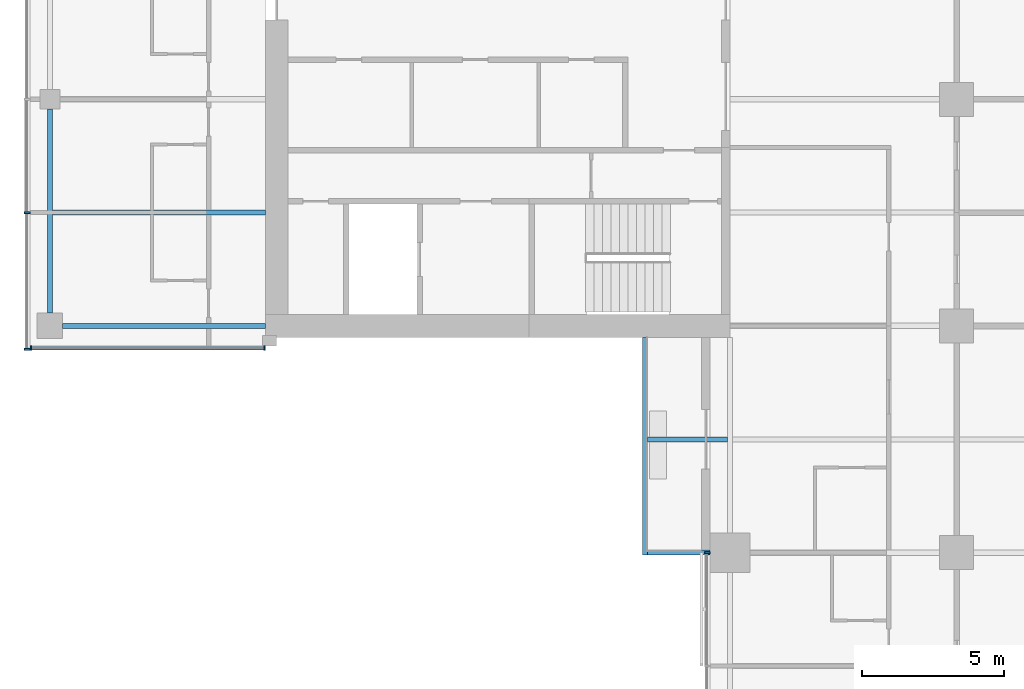
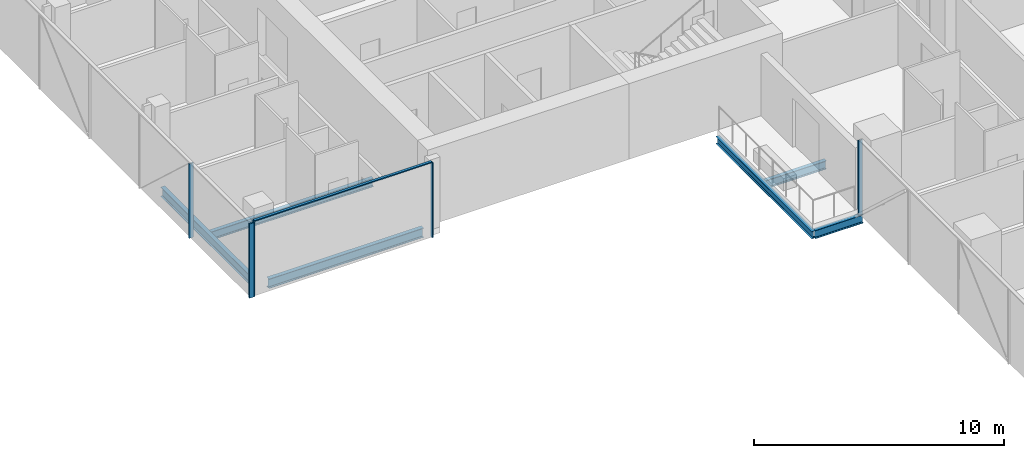
# One storey, part 3 of 27: 6 beams, 6 members, 3 elements without a shape of their own.
"""IFC4 building model written with IfcOpenShell, lengths in metres."""

from ifc_helpers import new_model, si_unit, direction, frame, origin, origin_2d, place, context, subcontext, project, spatial, rectangle, i_section, extrude, material, material_profile, profile_set, type_object, element, aggregate, save


model = new_model("IFC4")

# Units and contexts
model_context = context("Model", 3, precision=1e-05, world=origin(), true_north=direction((0.0, 1.0)))
body_context = subcontext(model_context, "Body", "Model", "MODEL_VIEW")
ifc_project = project(units=[si_unit("LENGTHUNIT", "METRE"), si_unit("AREAUNIT", "SQUARE_METRE"), si_unit("VOLUMEUNIT", "CUBIC_METRE"), si_unit("PLANEANGLEUNIT", "RADIAN"), si_unit("MASSUNIT", "GRAM", prefix="KILO")], contexts=[model_context])

# Site, building, storey
site_placement = place(None, origin())
site = spatial("IfcSite", under=ifc_project, at=site_placement, CompositionType="ELEMENT")
building_placement = place(site_placement, origin())
building = spatial("IfcBuilding", under=site, at=building_placement, Name="Crosswind Convention Tower", CompositionType="ELEMENT")
storey_placement = place(building_placement, frame((0.0, 0.0, 64.60009765625)))
storey = spatial("IfcBuildingStorey", under=building, at=storey_placement, Name="L10", CompositionType="ELEMENT", Elevation=64.60009765625)

# Beams
ifc_material_1 = material(Name="Steel S355", Category="steel")
ifc_material_profile_1 = material_profile(ifc_material_1, i_section(OverallWidth=0.177734375, OverallDepth=0.406494140625, WebThickness=0.0078125, FlangeThickness=0.0126953125, FilletRadius=0.01025390625, at=origin_2d()), Name="UB 406x178x60")
ifc_profile_set_1 = profile_set([ifc_material_profile_1], Name="Steel S355")
beam_type_1 = type_object("IfcBeamType", Name="Balcony cantilever UB 406x178x60", PredefinedType="BEAM", material=ifc_profile_set_1)
beam_1_placement = place(storey_placement, frame((112.90478515625, 84.0, -0.4833984375), z_axis=(-1.0, 0.0, 0.0), x_axis=(0.0, -1.0, 0.0)))
element("IfcBeam", 1, at=beam_1_placement, inside=storey, type_object=beam_type_1, Name="B35 L10 balcony cantilever SW 7", PredefinedType="BEAM", context=body_context, shape_type="SweptSolid", body=[
    extrude(i_section(OverallWidth=0.177734375, OverallDepth=0.406494140625, WebThickness=0.0078125, FlangeThickness=0.0126953125, FilletRadius=0.01025390625, at=origin_2d()), origin(), (0.0, 0.0, 1.0), 2.8193359375),
])
beam_2_placement = place(storey_placement, frame((112.300048828125, 80.0, -0.4833984375), z_axis=(-1.0, 0.0, 0.0), x_axis=(0.0, -1.0, 0.0)))
element("IfcBeam", 2, at=beam_2_placement, inside=storey, type_object=beam_type_1, Name="B35 L10 balcony cantilever SW 8", PredefinedType="BEAM", context=body_context, shape_type="SweptSolid", body=[
    extrude(i_section(OverallWidth=0.177734375, OverallDepth=0.406494140625, WebThickness=0.0078125, FlangeThickness=0.0126953125, FilletRadius=0.01025390625, at=origin_2d()), origin(), (0.0, 0.0, 1.0), 2.214599609375),
])
ifc_material_profile_2 = material_profile(ifc_material_1, i_section(OverallWidth=0.1708984375, OverallDepth=0.35205078125, WebThickness=0.0068359375, FlangeThickness=0.009765625, FilletRadius=0.01025390625, at=origin_2d()), Name="UB 356x171x45")
ifc_profile_set_2 = profile_set([ifc_material_profile_2], Name="Steel S355")
beam_type_2 = type_object("IfcBeamType", Name="Balcony edge beam UB 356x171x45", PredefinedType="BEAM", material=ifc_profile_set_2)
beam_3_placement = place(storey_placement, frame((110.0, 87.60009765625, -0.4560546875), z_axis=(0.0, -1.0, 0.0), x_axis=(1.0, 0.0, 0.0)))
element("IfcBeam", 3, at=beam_3_placement, inside=storey, type_object=beam_type_2, Name="B37 L10 balcony edge beam SW 9", PredefinedType="BEAM", context=body_context, shape_type="SweptSolid", body=[
    extrude(i_section(OverallWidth=0.1708984375, OverallDepth=0.35205078125, WebThickness=0.0068359375, FlangeThickness=0.009765625, FilletRadius=0.01025390625, at=origin_2d()), origin(), (0.0, 0.0, 1.0), 7.68896484375),
])
ifc_material_profile_3 = material_profile(ifc_material_1, i_section(OverallWidth=0.1904296875, OverallDepth=0.457275390625, WebThickness=0.009033203125, FlangeThickness=0.014404296875, FilletRadius=0.01025390625, at=origin_2d()), Name="UB 457x191x75")
ifc_profile_set_3 = profile_set([ifc_material_profile_3], Name="Steel S355")
beam_type_3 = type_object("IfcBeamType", Name="Edge beam UB 457x191x75", PredefinedType="SPANDREL", material=ifc_profile_set_3)
beam_4_placement = place(storey_placement, frame((89.0, 88.449951171875, -0.5087890625), z_axis=(0.0, 1.0, 0.0), x_axis=(-1.0, 0.0, 0.0)))
element("IfcBeam", 4, at=beam_4_placement, inside=storey, type_object=beam_type_3, Name="B17 L10 edge beam 1", PredefinedType="SPANDREL", context=body_context, shape_type="SweptSolid", body=[
    extrude(i_section(OverallWidth=0.1904296875, OverallDepth=0.457275390625, WebThickness=0.009033203125, FlangeThickness=0.014404296875, FilletRadius=0.01025390625, at=origin_2d()), origin(), (0.0, 0.0, 1.0), 7.199951171875),
])
beam_5_placement = place(storey_placement, frame((89.449951171875, 88.0, -0.5087890625), z_axis=(1.0, 0.0, 0.0), x_axis=(0.0, 1.0, 0.0)))
element("IfcBeam", 5, at=beam_5_placement, inside=storey, type_object=beam_type_3, Name="B17 L10 edge beam 4", PredefinedType="SPANDREL", context=body_context, shape_type="SweptSolid", body=[
    extrude(i_section(OverallWidth=0.1904296875, OverallDepth=0.457275390625, WebThickness=0.009033203125, FlangeThickness=0.014404296875, FilletRadius=0.01025390625, at=origin_2d()), origin(), (0.0, 0.0, 1.0), 7.150146484375),
])

# Curtain wall, members
ifc_material_2 = material(Name="Aluminium unitised curtain wall", Category="aluminium")
curtain_wall_type_1 = type_object("IfcCurtainWallType", Name="CORE END SLOT WALL 160", PredefinedType="USERDEFINED", material=ifc_material_2)
curtain_wall_1_placement = place(storey_placement, origin())
curtain_wall_1 = element("IfcCurtainWall", 6, at=curtain_wall_1_placement, inside=storey, type_object=curtain_wall_type_1, Name="CW6 L10 W-S.1-1 slot", ObjectType="UNITISED", PredefinedType="USERDEFINED")
ifc_material_3 = material(Name="Aluminium mullion", Category="aluminium")
ifc_material_profile_4 = material_profile(ifc_material_3, rectangle(XDim=0.159912109375, YDim=0.050048828125, at=origin_2d()), Name="AL 160X50")
ifc_profile_set_4 = profile_set([ifc_material_profile_4], Name="Aluminium mullion")
member_type_1 = type_object("IfcMemberType", Name="MULLION 50X160", PredefinedType="MULLION", material=ifc_profile_set_4)
member_1_placement = place(storey_placement, frame((88.324951171875, 87.219970703125, -0.280029296875), z_axis=(0.0, 0.0, 1.0), x_axis=(0.0, -1.0, 0.0)))
member_1 = element("IfcMember", 7, at=member_1_placement, type_object=member_type_1, Name="CW6 mullion 1", PredefinedType="MULLION", context=body_context, shape_type="SweptSolid", body=[
    extrude(rectangle(XDim=0.159912109375, YDim=0.050048828125, at=origin_2d()), origin(), (0.0, 0.0, 1.0), 3.64990234375),
])
member_2_placement = place(storey_placement, frame((96.574951171875, 87.219970703125, -0.280029296875), z_axis=(0.0, 0.0, 1.0), x_axis=(0.0, -1.0, 0.0)))
member_2 = element("IfcMember", 8, at=member_2_placement, type_object=member_type_1, Name="CW6 mullion 2", PredefinedType="MULLION", context=body_context, shape_type="SweptSolid", body=[
    extrude(rectangle(XDim=0.159912109375, YDim=0.050048828125, at=origin_2d()), origin(), (0.0, 0.0, 1.0), 3.64990234375),
])

curtain_wall_type_2 = type_object("IfcCurtainWallType", Name="HOTEL UNITISED WALL 200", PredefinedType="USERDEFINED", material=ifc_material_2)
curtain_wall_2_placement = place(storey_placement, origin())
curtain_wall_2 = element("IfcCurtainWall", 9, at=curtain_wall_2_placement, inside=storey, type_object=curtain_wall_type_2, Name="CW2 L10 W-TIP 1", ObjectType="UNITISED", PredefinedType="USERDEFINED")
ifc_material_profile_5 = material_profile(ifc_material_3, rectangle(XDim=0.199951171875, YDim=0.06494140625, at=origin_2d()), Name="AL 200X65")
ifc_profile_set_5 = profile_set([ifc_material_profile_5], Name="Aluminium mullion")
member_type_2 = type_object("IfcMemberType", Name="MULLION 65X200", PredefinedType="MULLION", material=ifc_profile_set_5)
member_3_placement = place(storey_placement, frame((88.199951171875, 92.0, -0.280029296875), z_axis=(0.0, 0.0, 1.0), x_axis=(-1.0, 0.0, 0.0)))
member_3 = element("IfcMember", 10, at=member_3_placement, type_object=member_type_2, Name="CW2 mullion 6", PredefinedType="MULLION", context=body_context, shape_type="SweptSolid", body=[
    extrude(rectangle(XDim=0.199951171875, YDim=0.06494140625, at=origin_2d()), origin(), (0.0, 0.0, 1.0), 3.635009765625),
])
member_4_placement = place(storey_placement, frame((88.199951171875, 87.172607421875, -0.280029296875), z_axis=(0.0, 0.0, 1.0), x_axis=(-1.0, 0.0, 0.0)))
member_4 = element("IfcMember", 11, at=member_4_placement, type_object=member_type_2, Name="CW2 mullion 7", PredefinedType="MULLION", context=body_context, shape_type="SweptSolid", body=[
    extrude(rectangle(XDim=0.199951171875, YDim=0.06494140625, at=origin_2d()), origin(), (0.0, 0.0, 1.0), 3.635009765625),
])
aggregate(curtain_wall_2, [member_3, member_4])

# Curtain wall, member
curtain_wall_3_placement = place(storey_placement, origin())
curtain_wall_3 = element("IfcCurtainWall", 12, at=curtain_wall_3_placement, inside=storey, type_object=curtain_wall_type_2, Name="CW2 L10 S-W 1", ObjectType="UNITISED", PredefinedType="USERDEFINED")
member_5_placement = place(storey_placement, frame((112.199951171875, 80.0, -0.280029296875), z_axis=(0.0, 0.0, 1.0), x_axis=(-1.0, 0.0, 0.0)))
member_5 = element("IfcMember", 13, at=member_5_placement, type_object=member_type_2, Name="CW2 mullion 1", PredefinedType="MULLION", context=body_context, shape_type="SweptSolid", body=[
    extrude(rectangle(XDim=0.199951171875, YDim=0.06494140625, at=origin_2d()), origin(), (0.0, 0.0, 1.0), 3.635009765625),
])
aggregate(curtain_wall_3, [member_5])

# Beam
ifc_material_profile_6 = material_profile(ifc_material_1, i_section(OverallWidth=0.177734375, OverallDepth=0.406494140625, WebThickness=0.0078125, FlangeThickness=0.0126953125, FilletRadius=0.01025390625, at=origin_2d()), Name="UB 406x178x60")
ifc_profile_set_6 = profile_set([ifc_material_profile_6], Name="Steel S355")
beam_type_4 = type_object("IfcBeamType", Name="Secondary beam UB 406x178x60", PredefinedType="JOIST", material=ifc_profile_set_6)
beam_6_placement = place(storey_placement, frame((89.09521484375, 92.0, -0.4833984375), z_axis=(1.0, 0.0, 0.0), x_axis=(0.0, 1.0, 0.0)))
element("IfcBeam", 14, at=beam_6_placement, inside=storey, type_object=beam_type_4, Name="B10 L10 secondary beam 1", PredefinedType="JOIST", context=body_context, shape_type="SweptSolid", body=[
    extrude(i_section(OverallWidth=0.177734375, OverallDepth=0.406494140625, WebThickness=0.0078125, FlangeThickness=0.0126953125, FilletRadius=0.01025390625, at=origin_2d()), origin(), (0.0, 0.0, 1.0), 7.5048828125),
])

# Member
ifc_material_4 = material(Name="Aluminium transom", Category="aluminium")
ifc_material_profile_7 = material_profile(ifc_material_4, rectangle(XDim=0.1201171875, YDim=0.050048828125, at=origin_2d()), Name="AL 120X50")
ifc_profile_set_7 = profile_set([ifc_material_profile_7], Name="Aluminium transom")
member_type_3 = type_object("IfcMemberType", Name="TRANSOM 50X120", PredefinedType="USERDEFINED", material=ifc_profile_set_7)
member_6_placement = place(storey_placement, frame((88.35009765625, 87.219970703125, 3.39501953125), z_axis=(1.0, 0.0, 0.0), x_axis=(0.0, 1.0, 0.0)))
member_6 = element("IfcMember", 15, at=member_6_placement, type_object=member_type_3, Name="CW6 transom", ObjectType="TRANSOM", PredefinedType="USERDEFINED", context=body_context, shape_type="SweptSolid", body=[
    extrude(rectangle(XDim=0.1201171875, YDim=0.050048828125, at=origin_2d()), origin(), (0.0, 0.0, 1.0), 8.199951171875),
])

aggregate(curtain_wall_1, [member_1, member_2, member_6])

save(model, "model.ifc")
